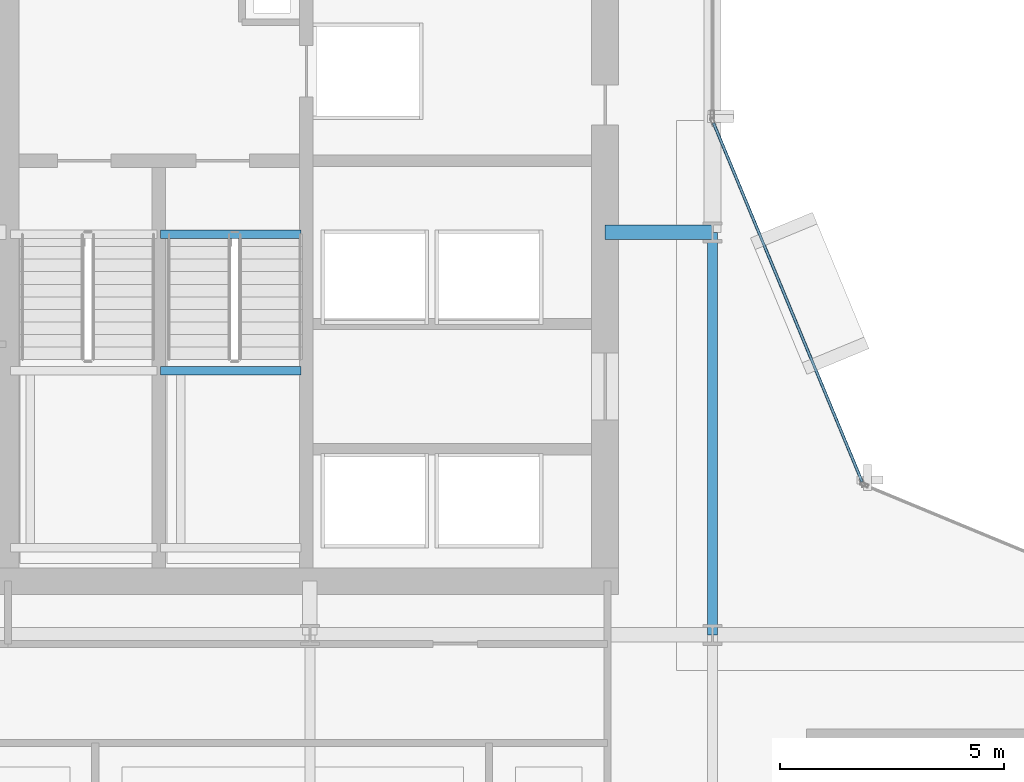
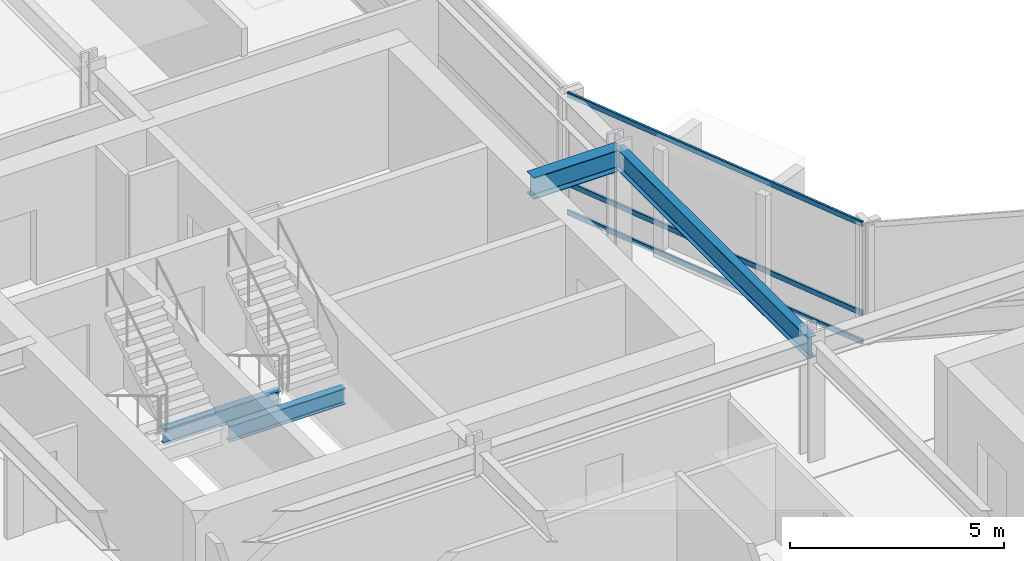
# One storey, part 20 of 34: 4 beams, 3 members, 1 element without a shape of its own.
"""IFC4 building model written with IfcOpenShell, lengths in metres."""

from ifc_helpers import new_model, si_unit, direction, frame, origin, origin_2d, place, context, subcontext, project, spatial, hollow_rectangle, i_section, extrude, material, layer, layer_set, material_profile, profile_set, type_object, element, aggregate, save


model = new_model("IFC4")

# Units and contexts
model_context = context("Model", 3, precision=1e-05, world=origin(), true_north=direction((0.0, 1.0)))
body_context = subcontext(model_context, "Body", "Model", "MODEL_VIEW")
ifc_project = project(units=[si_unit("LENGTHUNIT", "METRE"), si_unit("AREAUNIT", "SQUARE_METRE"), si_unit("VOLUMEUNIT", "CUBIC_METRE"), si_unit("PLANEANGLEUNIT", "RADIAN"), si_unit("MASSUNIT", "GRAM", prefix="KILO")], contexts=[model_context])

# Site, building, storey
site_placement = place(None, origin())
site = spatial("IfcSite", under=ifc_project, at=site_placement, CompositionType="ELEMENT")
building_placement = place(site_placement, origin())
building = spatial("IfcBuilding", under=site, at=building_placement, Name="Solvaryn Broadcast Tower", CompositionType="ELEMENT")
storey_placement = place(building_placement, frame((0.0, 0.0, 73.0)))
storey = spatial("IfcBuildingStorey", under=building, at=storey_placement, Name="L17", CompositionType="ELEMENT", Elevation=73.0)

# Beams
ifc_material_1 = material(Name="Steel ASTM A992 Grade 50", Category="steel")
ifc_material_profile_1 = material_profile(ifc_material_1, i_section(OverallWidth=0.323974609375, OverallDepth=0.611083984375, WebThickness=0.0126953125, FlangeThickness=0.01904296875, FilletRadius=0.014892578125, at=origin_2d()))
ifc_profile_set_1 = profile_set([ifc_material_profile_1], Name="Steel ASTM A992 Grade 50")
beam_type_1 = type_object("IfcBeamType", Name="BM-B1-W24X104", PredefinedType="BEAM", material=ifc_profile_set_1)
beam_1_placement = place(storey_placement, frame((24.60009765625, 36.0, 3.114501953125), z_axis=(1.0, 0.0, 0.0), x_axis=(0.0, 1.0, 0.0)))
element("IfcBeam", 1, at=beam_1_placement, inside=storey, type_object=beam_type_1, Name="L17 Core Tie Beam CTW2", PredefinedType="BEAM", context=body_context, shape_type="SweptSolid", body=[
    extrude(i_section(OverallWidth=0.323974609375, OverallDepth=0.611083984375, WebThickness=0.0126953125, FlangeThickness=0.01904296875, FilletRadius=0.014892578125, at=origin_2d()), origin(), (0.0, 0.0, 1.0), 2.39990234375),
])
ifc_material_2 = material(Name="Steel ASTM A992 Grade 50", Category="steel")
ifc_material_profile_2 = material_profile(ifc_material_2, i_section(OverallWidth=0.22802734375, OverallDepth=0.60791015625, WebThickness=0.01123046875, FlangeThickness=0.017333984375, FilletRadius=0.014892578125, at=origin_2d()))
ifc_profile_set_2 = profile_set([ifc_material_profile_2], Name="Steel ASTM A992 Grade 50")
beam_type_2 = type_object("IfcBeamType", Name="BM-B2-W24X76", PredefinedType="BEAM", material=ifc_profile_set_2)
beam_2_placement = place(storey_placement, frame((27.0, 27.0, 3.115966796875), z_axis=(0.0, 1.0, 0.0), x_axis=(-1.0, 0.0, 0.0)))
element("IfcBeam", 2, at=beam_2_placement, inside=storey, type_object=beam_type_2, Name="L17 Primary Beam Y (27-36 @ X=27)", PredefinedType="BEAM", context=body_context, shape_type="SweptSolid", body=[
    extrude(i_section(OverallWidth=0.22802734375, OverallDepth=0.60791015625, WebThickness=0.01123046875, FlangeThickness=0.017333984375, FilletRadius=0.014892578125, at=origin_2d()), origin(), (0.0, 0.0, 1.0), 9.0),
])
ifc_material_3 = material(Name="Steel ASTM A992 Grade 50", Category="steel")
ifc_material_profile_3 = material_profile(ifc_material_3, i_section(OverallWidth=0.18994140625, OverallDepth=0.45703125, WebThickness=0.009033203125, FlangeThickness=0.014404296875, FilletRadius=0.011962890625, at=origin_2d()))
ifc_profile_set_3 = profile_set([ifc_material_profile_3], Name="Steel ASTM A992 Grade 50")
beam_type_3 = type_object("IfcBeamType", Name="BM-B4-W18X50", PredefinedType="BEAM", material=ifc_profile_set_3)
for number, where, z_axis, x_axis, name in (
    (3, (14.659912109375, 35.9599609375, -0.508544921875), (1.0, 0.0, 0.0), (0.0, 1.0, 0.0), "L17 ST2 Stair Well Trimmer Beam"),
    (4, (14.659912109375, 32.909912109375, 1.42138671875), (1.0, 0.0, 0.0), (0.0, 1.0, 0.0), "L17 ST2 Landing Support Beam 1B"),
):
    element("IfcBeam", number, at=place(storey_placement, frame(where, z_axis=z_axis, x_axis=x_axis)), inside=storey, type_object=beam_type_3, Name=name, PredefinedType="BEAM", context=body_context, shape_type="SweptSolid", body=[
        extrude(i_section(OverallWidth=0.18994140625, OverallDepth=0.45703125, WebThickness=0.009033203125, FlangeThickness=0.014404296875, FilletRadius=0.011962890625, at=origin_2d()), origin(), (0.0, 0.0, 1.0), 3.14013671875),
    ])

# Curtain wall, members
ifc_material_4 = material(Name="Aluminium and Terracotta Unitised Curtain Wall", Category="masonry")
ifc_layer = layer(ifc_material_4, 0.199951171875)
ifc_layer_set = layer_set([ifc_layer], Name="CW-SYS2-LOWMID")
curtain_wall_type = type_object("IfcCurtainWallType", Name="CW-SYS2-LOWMID", PredefinedType="NOTDEFINED", material=ifc_layer_set)
curtain_wall_placement = place(storey_placement, origin())
curtain_wall = element("IfcCurtainWall", 5, at=curtain_wall_placement, inside=storey, type_object=curtain_wall_type, Name="L17 Curtain Wall CN2", PredefinedType="NOTDEFINED")
ifc_material_5 = material(Name="Anodised Aluminium 6063-T6", Category="aluminium")
ifc_material_profile_4 = material_profile(ifc_material_5, hollow_rectangle(XDim=0.06494140625, YDim=0.14990234375, WallThickness=0.00390625, InnerFilletRadius=0.00390625, OuterFilletRadius=0.008056640625, at=origin_2d()))
ifc_profile_set_4 = profile_set([ifc_material_profile_4], Name="Anodised Aluminium 6063-T6")
member_type = type_object("IfcMemberType", Name="CW-TRN-150", PredefinedType="USERDEFINED", material=ifc_profile_set_4)
member_1_placement = place(storey_placement, frame((30.344970703125, 30.42333984375, 0.030029296875), z_axis=(-0.382635748975, 0.923899282177, 0.0), x_axis=(-0.923899282177, -0.382635748975, 0.0)))
member_1 = element("IfcMember", 6, at=member_1_placement, type_object=member_type, Name="CWS2 transom 1.1", ObjectType="TRANSOM", PredefinedType="USERDEFINED", context=body_context, shape_type="SweptSolid", body=[
    extrude(hollow_rectangle(XDim=0.06494140625, YDim=0.14990234375, WallThickness=0.00390625, InnerFilletRadius=0.00390625, OuterFilletRadius=0.008056640625, at=origin_2d()), origin(), (0.0, 0.0, 1.0), 8.681884765625),
])
member_2_placement = place(storey_placement, frame((30.344970703125, 30.42333984375, 0.85009765625), z_axis=(-0.382635748975, 0.923899282177, 0.0), x_axis=(-0.923899282177, -0.382635748975, 0.0)))
member_2 = element("IfcMember", 7, at=member_2_placement, type_object=member_type, Name="CWS2 transom 1.2", ObjectType="TRANSOM", PredefinedType="USERDEFINED", context=body_context, shape_type="SweptSolid", body=[
    extrude(hollow_rectangle(XDim=0.06494140625, YDim=0.14990234375, WallThickness=0.00390625, InnerFilletRadius=0.00390625, OuterFilletRadius=0.008056640625, at=origin_2d()), origin(), (0.0, 0.0, 1.0), 8.681884765625),
])
member_3_placement = place(storey_placement, frame((30.344970703125, 30.42333984375, 3.389892578125), z_axis=(-0.382635748975, 0.923899282177, 0.0), x_axis=(-0.923899282177, -0.382635748975, 0.0)))
member_3 = element("IfcMember", 8, at=member_3_placement, type_object=member_type, Name="CWS2 transom 1.3", ObjectType="TRANSOM", PredefinedType="USERDEFINED", context=body_context, shape_type="SweptSolid", body=[
    extrude(hollow_rectangle(XDim=0.06494140625, YDim=0.14990234375, WallThickness=0.00390625, InnerFilletRadius=0.00390625, OuterFilletRadius=0.008056640625, at=origin_2d()), origin(), (0.0, 0.0, 1.0), 8.681884765625),
])
aggregate(curtain_wall, [member_1, member_2, member_3])

save(model, "model.ifc")
